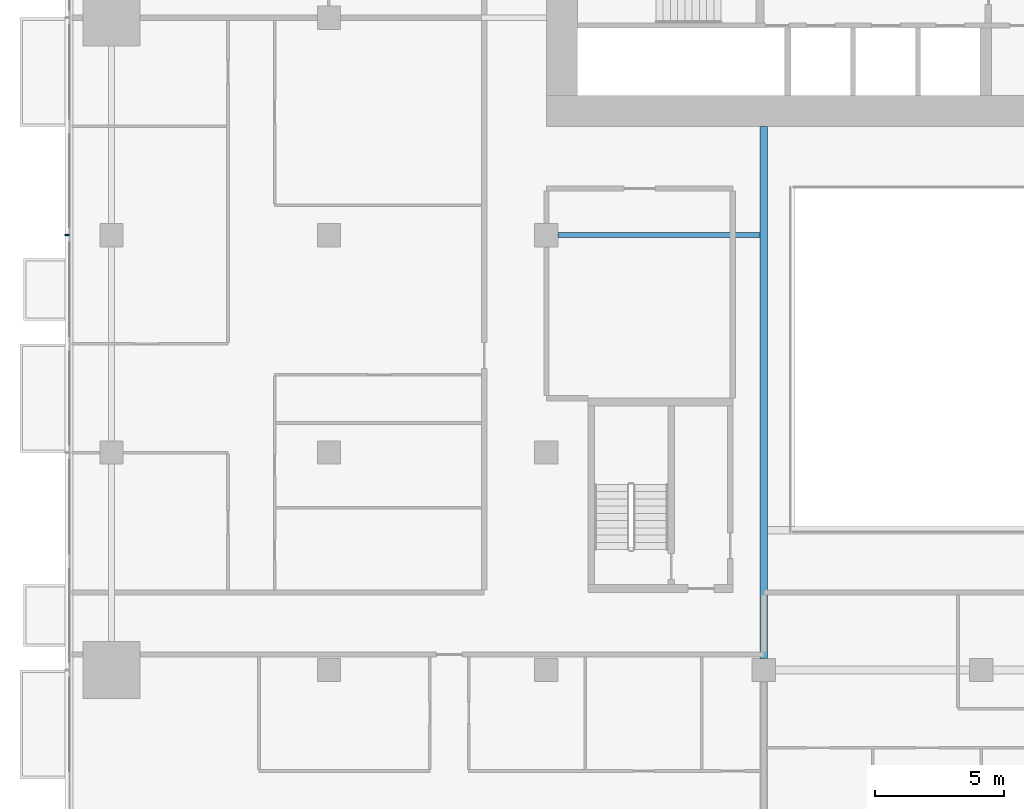
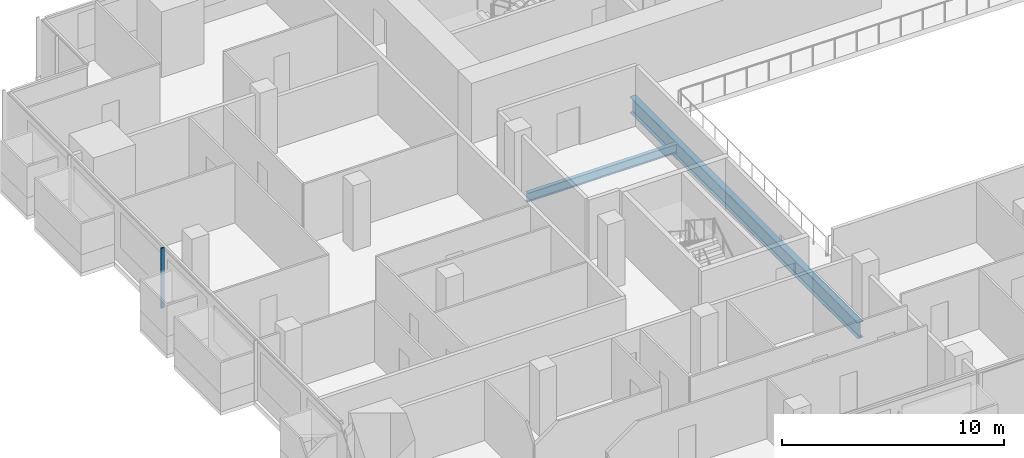
# One storey, part 4 of 27: 2 beams, 1 member, 1 element without a shape of its own.
"""IFC4 building model written with IfcOpenShell, lengths in metres."""

from ifc_helpers import new_model, si_unit, direction, frame, origin, origin_2d, place, context, subcontext, project, spatial, rectangle, i_section, extrude, material, material_profile, profile_set, type_object, element, aggregate, save


model = new_model("IFC4")

# Units and contexts
model_context = context("Model", 3, precision=1e-05, world=origin(), true_north=direction((0.0, 1.0)))
body_context = subcontext(model_context, "Body", "Model", "MODEL_VIEW")
ifc_project = project(units=[si_unit("LENGTHUNIT", "METRE"), si_unit("AREAUNIT", "SQUARE_METRE"), si_unit("VOLUMEUNIT", "CUBIC_METRE"), si_unit("PLANEANGLEUNIT", "RADIAN"), si_unit("MASSUNIT", "GRAM", prefix="KILO")], contexts=[model_context])

# Site, building, storey
site_placement = place(None, origin())
site = spatial("IfcSite", under=ifc_project, at=site_placement, CompositionType="ELEMENT")
building_placement = place(site_placement, origin())
building = spatial("IfcBuilding", under=site, at=building_placement, Name="Saffron Gate Tower", CompositionType="ELEMENT")
storey_placement = place(building_placement, frame((0.0, 0.0, 44.39990234375)))
storey = spatial("IfcBuildingStorey", under=building, at=storey_placement, Name="L09", CompositionType="ELEMENT", Elevation=44.39990234375)

# Beams
ifc_material_1 = material(Name="Structural steel S355", Category="steel")
ifc_material_profile_1 = material_profile(ifc_material_1, i_section(OverallWidth=0.199951171875, OverallDepth=0.5, WebThickness=0.01025390625, FlangeThickness=0.01611328125, FilletRadius=0.02099609375, at=origin_2d()))
ifc_profile_set_1 = profile_set([ifc_material_profile_1], Name="Structural steel S355")
beam_type_1 = type_object("IfcBeamType", Name="B10 IPE 500", PredefinedType="BEAM", material=ifc_profile_set_1)
beam_1_placement = place(storey_placement, frame((67.050048828125, 57.0, -0.52978515625), z_axis=(1.0, 0.0, 0.0), x_axis=(0.0, 1.0, 0.0)))
element("IfcBeam", 1, at=beam_1_placement, inside=storey, type_object=beam_type_1, Name="B10 CORE TIE BEAM", PredefinedType="BEAM", context=body_context, shape_type="SweptSolid", body=[
    extrude(i_section(OverallWidth=0.199951171875, OverallDepth=0.5, WebThickness=0.01025390625, FlangeThickness=0.01611328125, FilletRadius=0.02099609375, at=origin_2d()), origin(), (0.0, 0.0, 1.0), 7.800048828125),
])
ifc_material_profile_2 = material_profile(ifc_material_1, i_section(OverallWidth=0.300048828125, OverallDepth=0.889892578125, WebThickness=0.01611328125, FlangeThickness=0.030029296875, FilletRadius=0.030029296875, at=origin_2d()))
ifc_profile_set_2 = profile_set([ifc_material_profile_2], Name="Structural steel S355")
beam_type_2 = type_object("IfcBeamType", Name="B19 HEA 900", PredefinedType="BEAM", material=ifc_profile_set_2)
beam_2_placement = place(storey_placement, frame((75.0, 40.64990234375, -0.724853515625), z_axis=(0.0, 1.0, 0.0), x_axis=(-1.0, 0.0, 0.0)))
element("IfcBeam", 2, at=beam_2_placement, inside=storey, type_object=beam_type_2, Name="B19 ATRIUM GIRDER", PredefinedType="BEAM", context=body_context, shape_type="SweptSolid", body=[
    extrude(i_section(OverallWidth=0.300048828125, OverallDepth=0.889892578125, WebThickness=0.01611328125, FlangeThickness=0.030029296875, FilletRadius=0.030029296875, at=origin_2d()), origin(), (0.0, 0.0, 1.0), 20.550048828125),
])

# Curtain wall, member
ifc_material_2 = material(Name="Aluminium, bronze anodised", Category="aluminium")
curtain_wall_type = type_object("IfcCurtainWallType", Name="CWS2 curtain wall side facades", PredefinedType="NOTDEFINED", material=ifc_material_2)
curtain_wall_placement = place(storey_placement, origin())
curtain_wall = element("IfcCurtainWall", 3, at=curtain_wall_placement, inside=storey, type_object=curtain_wall_type, Name="CWS2 run 10", PredefinedType="NOTDEFINED")
ifc_material_profile_3 = material_profile(ifc_material_2, rectangle(XDim=0.159912109375, YDim=0.06005859375, at=origin_2d()))
ifc_profile_set_3 = profile_set([ifc_material_profile_3], Name="Aluminium, bronze anodised")
member_type = type_object("IfcMemberType", Name="CWS2 mullion 60x160", PredefinedType="MULLION", material=ifc_profile_set_3)
member_placement = place(storey_placement, frame((48.080078125, 57.0, 0.0), z_axis=(0.0, 0.0, 1.0), x_axis=(1.0, 0.0, 0.0)))
member = element("IfcMember", 4, at=member_placement, type_object=member_type, Name="CWS2 mullion 3", PredefinedType="MULLION", context=body_context, shape_type="SweptSolid", body=[
    extrude(rectangle(XDim=0.159912109375, YDim=0.06005859375, at=origin_2d()), origin(), (0.0, 0.0, 1.0), 3.320068359375),
])
aggregate(curtain_wall, [member])

save(model, "model.ifc")
